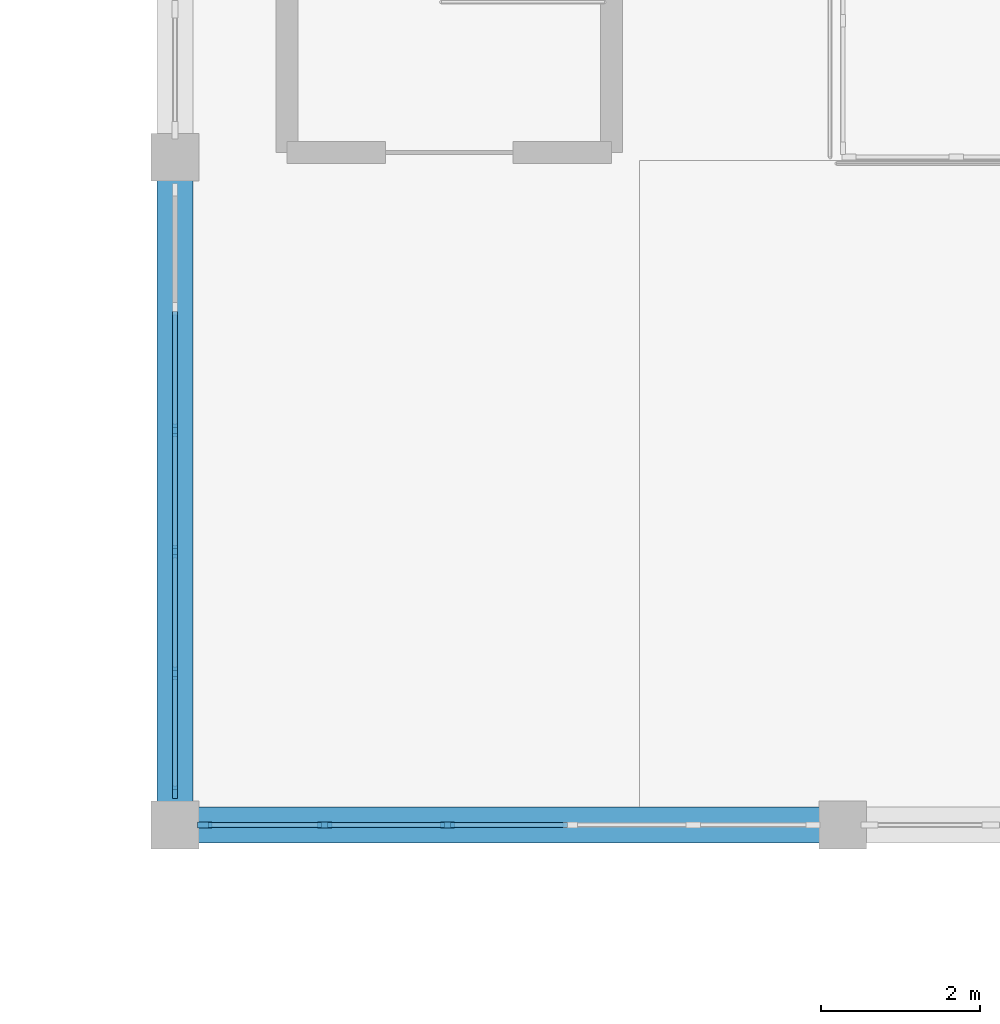
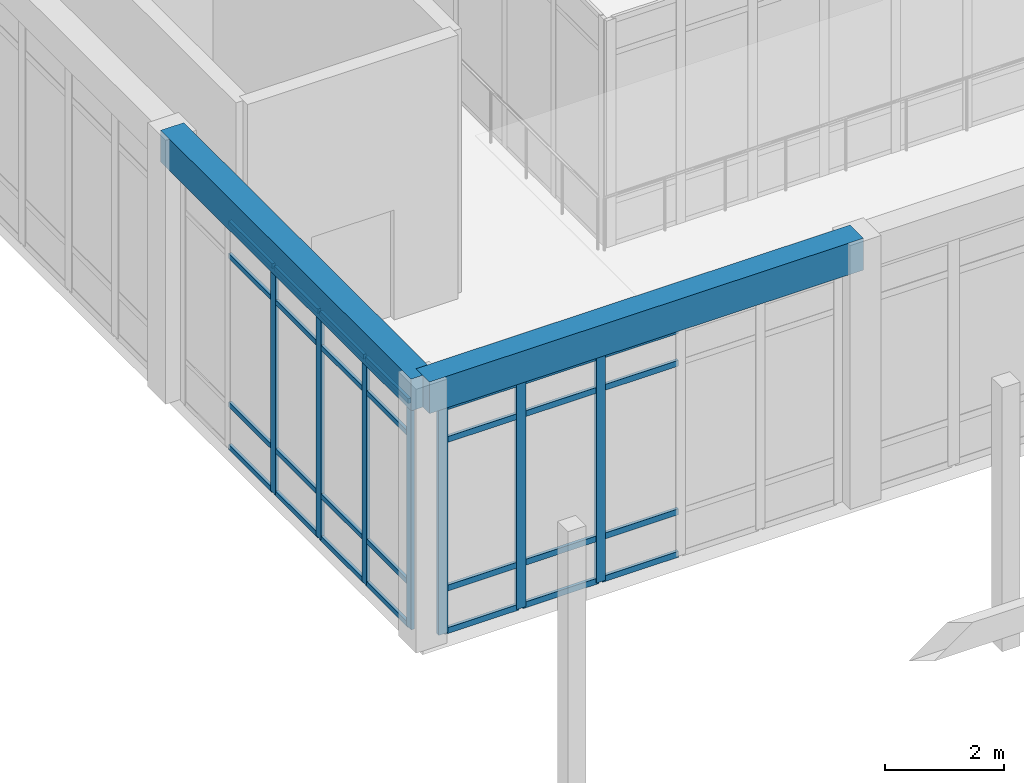
# One storey, part 8 of 157: 35 members, 2 beams, 2 elements without a shape of their own.
"""IFC4 building model written with IfcOpenShell, lengths in metres."""

from ifc_helpers import new_model, si_unit, direction, frame, origin, origin_2d, place, context, subcontext, project, spatial, rectangle, extrude, material, material_profile, profile_set, type_object, element, aggregate, save


model = new_model("IFC4")

# Units and contexts
model_context = context("Model", 3, precision=1e-05, world=origin(), true_north=direction((0.0, 1.0)))
body_context = subcontext(model_context, "Body", "Model", "MODEL_VIEW")
ifc_project = project(units=[si_unit("LENGTHUNIT", "METRE"), si_unit("AREAUNIT", "SQUARE_METRE"), si_unit("VOLUMEUNIT", "CUBIC_METRE"), si_unit("PLANEANGLEUNIT", "RADIAN"), si_unit("MASSUNIT", "GRAM", prefix="KILO")], contexts=[model_context])

# Site, building, storey
site_placement = place(None, origin())
site = spatial("IfcSite", under=ifc_project, at=site_placement, CompositionType="ELEMENT")
building_placement = place(site_placement, origin())
building = spatial("IfcBuilding", under=site, at=building_placement, Name="Varncliffe General Hospital", CompositionType="ELEMENT")
storey_placement = place(building_placement, frame((0.0, 0.0, 5.39990234375)))
storey = spatial("IfcBuildingStorey", under=building, at=storey_placement, Name="L01", CompositionType="ELEMENT", Elevation=5.39990234375)

# Curtain wall, members
ifc_material_1 = material(Name="Triple low-E argon insulated vision glazing", Category="glass")
curtain_wall_type_1 = type_object("IfcCurtainWallType", Name="Unitised Glazed Curtain Wall CW70 (7724x4640)", PredefinedType="USERDEFINED", material=ifc_material_1)
curtain_wall_1_placement = place(storey_placement, origin())
curtain_wall_1 = element("IfcCurtainWall", 1, at=curtain_wall_1_placement, inside=storey, type_object=curtain_wall_type_1, Name="L01 Glazed Curtain Wall CW70-52", ObjectType="GLAZED CURTAIN WALL", PredefinedType="USERDEFINED")
ifc_material_2 = material(Name="Dark bronze thermally broken aluminium framing", Category="aluminium")
ifc_material_profile_1 = material_profile(ifc_material_2, rectangle(XDim=0.074951171875, YDim=0.179931640625, at=origin_2d()), Name="ALU 75x180")
ifc_profile_set_1 = profile_set([ifc_material_profile_1], Name="Dark bronze thermally broken aluminium framing")
member_type_1 = type_object("IfcMemberType", Name="Curtain Wall Mullion CM44 (ALU 75x180)", PredefinedType="MULLION", material=ifc_profile_set_1)
member_1_placement = place(storey_placement, frame((62.2275390625, 7.199951171875, 0.0), z_axis=(0.0, 0.0, 1.0), x_axis=(0.0, -1.0, 0.0)))
member_1 = element("IfcMember", 2, at=member_1_placement, type_object=member_type_1, Name="CW70 mullion 4", PredefinedType="MULLION", context=body_context, shape_type="SweptSolid", body=[
    extrude(rectangle(XDim=0.074951171875, YDim=0.179931640625, at=origin_2d()), origin(), (0.0, 0.0, 1.0), 4.64013671875),
])
member_2_placement = place(storey_placement, frame((60.682861328125, 7.199951171875, 0.0), z_axis=(0.0, 0.0, 1.0), x_axis=(0.0, -1.0, 0.0)))
member_2 = element("IfcMember", 3, at=member_2_placement, type_object=member_type_1, Name="CW70 mullion 5", PredefinedType="MULLION", context=body_context, shape_type="SweptSolid", body=[
    extrude(rectangle(XDim=0.074951171875, YDim=0.179931640625, at=origin_2d()), origin(), (0.0, 0.0, 1.0), 4.64013671875),
])
member_3_placement = place(storey_placement, frame((59.175537109375, 7.199951171875, 0.0), z_axis=(0.0, 0.0, 1.0), x_axis=(0.0, -1.0, 0.0)))
member_3 = element("IfcMember", 4, at=member_3_placement, type_object=member_type_1, Name="CW70 mullion 6", PredefinedType="MULLION", context=body_context, shape_type="SweptSolid", body=[
    extrude(rectangle(XDim=0.074951171875, YDim=0.179931640625, at=origin_2d()), origin(), (0.0, 0.0, 1.0), 4.64013671875),
])

curtain_wall_type_2 = type_object("IfcCurtainWallType", Name="Unitised Glazed Curtain Wall CW27 (7644x4640)", PredefinedType="USERDEFINED", material=ifc_material_1)
curtain_wall_2_placement = place(storey_placement, origin())
curtain_wall_2 = element("IfcCurtainWall", 5, at=curtain_wall_2_placement, inside=storey, type_object=curtain_wall_type_2, Name="L01 Glazed Curtain Wall CW27-53", ObjectType="GLAZED CURTAIN WALL", PredefinedType="USERDEFINED")
ifc_material_profile_2 = material_profile(ifc_material_2, rectangle(XDim=0.06494140625, YDim=0.159912109375, at=origin_2d()), Name="ALU 65x160")
ifc_profile_set_2 = profile_set([ifc_material_profile_2], Name="Dark bronze thermally broken aluminium framing")
member_type_2 = type_object("IfcMemberType", Name="Curtain Wall Mullion CM65 (ALU 65x160)", PredefinedType="MULLION", material=ifc_profile_set_2)
member_4_placement = place(storey_placement, frame((58.800048828125, 7.610595703125, 0.0), z_axis=(0.0, 0.0, 1.0), x_axis=(-1.0, 0.0, 0.0)))
member_4 = element("IfcMember", 6, at=member_4_placement, type_object=member_type_2, Name="CW27 mullion 1", PredefinedType="MULLION", context=body_context, shape_type="SweptSolid", body=[
    extrude(rectangle(XDim=0.06494140625, YDim=0.159912109375, at=origin_2d()), origin(), (0.0, 0.0, 1.0), 4.64013671875),
])
member_5_placement = place(storey_placement, frame((58.800048828125, 9.106689453125, 0.0), z_axis=(0.0, 0.0, 1.0), x_axis=(-1.0, 0.0, 0.0)))
member_5 = element("IfcMember", 7, at=member_5_placement, type_object=member_type_2, Name="CW27 mullion 2", PredefinedType="MULLION", context=body_context, shape_type="SweptSolid", body=[
    extrude(rectangle(XDim=0.06494140625, YDim=0.159912109375, at=origin_2d()), origin(), (0.0, 0.0, 1.0), 4.64013671875),
])
member_6_placement = place(storey_placement, frame((58.800048828125, 10.635498046875, 0.0), z_axis=(0.0, 0.0, 1.0), x_axis=(-1.0, 0.0, 0.0)))
member_6 = element("IfcMember", 8, at=member_6_placement, type_object=member_type_2, Name="CW27 mullion 3", PredefinedType="MULLION", context=body_context, shape_type="SweptSolid", body=[
    extrude(rectangle(XDim=0.06494140625, YDim=0.159912109375, at=origin_2d()), origin(), (0.0, 0.0, 1.0), 4.64013671875),
])
member_7_placement = place(storey_placement, frame((58.800048828125, 12.164306640625, 0.0), z_axis=(0.0, 0.0, 1.0), x_axis=(-1.0, 0.0, 0.0)))
member_7 = element("IfcMember", 9, at=member_7_placement, type_object=member_type_2, Name="CW27 mullion 4", PredefinedType="MULLION", context=body_context, shape_type="SweptSolid", body=[
    extrude(rectangle(XDim=0.06494140625, YDim=0.159912109375, at=origin_2d()), origin(), (0.0, 0.0, 1.0), 4.64013671875),
])

# Member
ifc_material_profile_3 = material_profile(ifc_material_2, rectangle(XDim=0.06005859375, YDim=0.1201171875, at=origin_2d()), Name="ALU 60x120")
ifc_profile_set_3 = profile_set([ifc_material_profile_3], Name="Dark bronze thermally broken aluminium framing")
member_type_3 = type_object("IfcMemberType", Name="Curtain Wall Transom CT14 (ALU 60x120)", PredefinedType="USERDEFINED", material=ifc_profile_set_3)
member_8_placement = place(storey_placement, frame((63.73486328125, 7.199951171875, 0.030029296875), z_axis=(-1.0, 0.0, 0.0), x_axis=(0.0, -1.0, 0.0)))
member_8 = element("IfcMember", 10, at=member_8_placement, type_object=member_type_3, Name="CW70 transom 3.1", ObjectType="TRANSOM", PredefinedType="USERDEFINED", context=body_context, shape_type="SweptSolid", body=[
    extrude(rectangle(XDim=0.06005859375, YDim=0.1201171875, at=origin_2d()), origin(), (0.0, 0.0, 1.0), 1.4697265625),
])

member_9_placement = place(storey_placement, frame((63.73486328125, 7.199951171875, 0.900146484375), z_axis=(-1.0, 0.0, 0.0), x_axis=(0.0, -1.0, 0.0)))
member_9 = element("IfcMember", 11, at=member_9_placement, type_object=member_type_3, Name="CW70 transom 3.2", ObjectType="TRANSOM", PredefinedType="USERDEFINED", context=body_context, shape_type="SweptSolid", body=[
    extrude(rectangle(XDim=0.06005859375, YDim=0.1201171875, at=origin_2d()), origin(), (0.0, 0.0, 1.0), 1.4697265625),
])

member_10_placement = place(storey_placement, frame((63.73486328125, 7.199951171875, 3.940185546875), z_axis=(-1.0, 0.0, 0.0), x_axis=(0.0, -1.0, 0.0)))
member_10 = element("IfcMember", 12, at=member_10_placement, type_object=member_type_3, Name="CW70 transom 3.3", ObjectType="TRANSOM", PredefinedType="USERDEFINED", context=body_context, shape_type="SweptSolid", body=[
    extrude(rectangle(XDim=0.06005859375, YDim=0.1201171875, at=origin_2d()), origin(), (0.0, 0.0, 1.0), 1.4697265625),
])

member_11_placement = place(storey_placement, frame((63.73486328125, 7.199951171875, 4.610107421875), z_axis=(-1.0, 0.0, 0.0), x_axis=(0.0, -1.0, 0.0)))
member_11 = element("IfcMember", 13, at=member_11_placement, type_object=member_type_3, Name="CW70 transom 3.4", ObjectType="TRANSOM", PredefinedType="USERDEFINED", context=body_context, shape_type="SweptSolid", body=[
    extrude(rectangle(XDim=0.06005859375, YDim=0.1201171875, at=origin_2d()), origin(), (0.0, 0.0, 1.0), 1.4697265625),
])

member_12_placement = place(storey_placement, frame((62.190185546875, 7.199951171875, 0.030029296875), z_axis=(-1.0, 0.0, 0.0), x_axis=(0.0, -1.0, 0.0)))
member_12 = element("IfcMember", 14, at=member_12_placement, type_object=member_type_3, Name="CW70 transom 4.1", ObjectType="TRANSOM", PredefinedType="USERDEFINED", context=body_context, shape_type="SweptSolid", body=[
    extrude(rectangle(XDim=0.06005859375, YDim=0.1201171875, at=origin_2d()), origin(), (0.0, 0.0, 1.0), 1.469970703125),
])

member_13_placement = place(storey_placement, frame((62.190185546875, 7.199951171875, 0.900146484375), z_axis=(-1.0, 0.0, 0.0), x_axis=(0.0, -1.0, 0.0)))
member_13 = element("IfcMember", 15, at=member_13_placement, type_object=member_type_3, Name="CW70 transom 4.2", ObjectType="TRANSOM", PredefinedType="USERDEFINED", context=body_context, shape_type="SweptSolid", body=[
    extrude(rectangle(XDim=0.06005859375, YDim=0.1201171875, at=origin_2d()), origin(), (0.0, 0.0, 1.0), 1.469970703125),
])

member_14_placement = place(storey_placement, frame((62.190185546875, 7.199951171875, 3.940185546875), z_axis=(-1.0, 0.0, 0.0), x_axis=(0.0, -1.0, 0.0)))
member_14 = element("IfcMember", 16, at=member_14_placement, type_object=member_type_3, Name="CW70 transom 4.3", ObjectType="TRANSOM", PredefinedType="USERDEFINED", context=body_context, shape_type="SweptSolid", body=[
    extrude(rectangle(XDim=0.06005859375, YDim=0.1201171875, at=origin_2d()), origin(), (0.0, 0.0, 1.0), 1.469970703125),
])

member_15_placement = place(storey_placement, frame((62.190185546875, 7.199951171875, 4.610107421875), z_axis=(-1.0, 0.0, 0.0), x_axis=(0.0, -1.0, 0.0)))
member_15 = element("IfcMember", 17, at=member_15_placement, type_object=member_type_3, Name="CW70 transom 4.4", ObjectType="TRANSOM", PredefinedType="USERDEFINED", context=body_context, shape_type="SweptSolid", body=[
    extrude(rectangle(XDim=0.06005859375, YDim=0.1201171875, at=origin_2d()), origin(), (0.0, 0.0, 1.0), 1.469970703125),
])

member_16_placement = place(storey_placement, frame((60.645263671875, 7.199951171875, 0.030029296875), z_axis=(-1.0, 0.0, 0.0), x_axis=(0.0, -1.0, 0.0)))
member_16 = element("IfcMember", 18, at=member_16_placement, type_object=member_type_3, Name="CW70 transom 5.1", ObjectType="TRANSOM", PredefinedType="USERDEFINED", context=body_context, shape_type="SweptSolid", body=[
    extrude(rectangle(XDim=0.06005859375, YDim=0.1201171875, at=origin_2d()), origin(), (0.0, 0.0, 1.0), 1.432373046875),
])

member_17_placement = place(storey_placement, frame((60.645263671875, 7.199951171875, 0.900146484375), z_axis=(-1.0, 0.0, 0.0), x_axis=(0.0, -1.0, 0.0)))
member_17 = element("IfcMember", 19, at=member_17_placement, type_object=member_type_3, Name="CW70 transom 5.2", ObjectType="TRANSOM", PredefinedType="USERDEFINED", context=body_context, shape_type="SweptSolid", body=[
    extrude(rectangle(XDim=0.06005859375, YDim=0.1201171875, at=origin_2d()), origin(), (0.0, 0.0, 1.0), 1.432373046875),
])

member_18_placement = place(storey_placement, frame((60.645263671875, 7.199951171875, 3.940185546875), z_axis=(-1.0, 0.0, 0.0), x_axis=(0.0, -1.0, 0.0)))
member_18 = element("IfcMember", 20, at=member_18_placement, type_object=member_type_3, Name="CW70 transom 5.3", ObjectType="TRANSOM", PredefinedType="USERDEFINED", context=body_context, shape_type="SweptSolid", body=[
    extrude(rectangle(XDim=0.06005859375, YDim=0.1201171875, at=origin_2d()), origin(), (0.0, 0.0, 1.0), 1.432373046875),
])

member_19_placement = place(storey_placement, frame((60.645263671875, 7.199951171875, 4.610107421875), z_axis=(-1.0, 0.0, 0.0), x_axis=(0.0, -1.0, 0.0)))
member_19 = element("IfcMember", 21, at=member_19_placement, type_object=member_type_3, Name="CW70 transom 5.4", ObjectType="TRANSOM", PredefinedType="USERDEFINED", context=body_context, shape_type="SweptSolid", body=[
    extrude(rectangle(XDim=0.06005859375, YDim=0.1201171875, at=origin_2d()), origin(), (0.0, 0.0, 1.0), 1.432373046875),
])

aggregate(curtain_wall_1, [member_1, member_2, member_3, member_8, member_9, member_10, member_11, member_12, member_13, member_14, member_15, member_16, member_17, member_18, member_19])

ifc_material_profile_4 = material_profile(ifc_material_2, rectangle(XDim=0.06005859375, YDim=0.10009765625, at=origin_2d()), Name="ALU 60x100")
ifc_profile_set_4 = profile_set([ifc_material_profile_4], Name="Dark bronze thermally broken aluminium framing")
member_type_4 = type_object("IfcMemberType", Name="Curtain Wall Transom CT18 (ALU 60x100)", PredefinedType="USERDEFINED", material=ifc_profile_set_4)
member_20_placement = place(storey_placement, frame((58.800048828125, 7.64306640625, 0.030029296875), z_axis=(0.0, 1.0, 0.0), x_axis=(-1.0, 0.0, 0.0)))
member_20 = element("IfcMember", 22, at=member_20_placement, type_object=member_type_4, Name="CW27 transom 1.1", ObjectType="TRANSOM", PredefinedType="USERDEFINED", context=body_context, shape_type="SweptSolid", body=[
    extrude(rectangle(XDim=0.06005859375, YDim=0.10009765625, at=origin_2d()), origin(), (0.0, 0.0, 1.0), 1.43115234375),
])

member_21_placement = place(storey_placement, frame((58.800048828125, 7.64306640625, 0.900146484375), z_axis=(0.0, 1.0, 0.0), x_axis=(-1.0, 0.0, 0.0)))
member_21 = element("IfcMember", 23, at=member_21_placement, type_object=member_type_4, Name="CW27 transom 1.2", ObjectType="TRANSOM", PredefinedType="USERDEFINED", context=body_context, shape_type="SweptSolid", body=[
    extrude(rectangle(XDim=0.06005859375, YDim=0.10009765625, at=origin_2d()), origin(), (0.0, 0.0, 1.0), 1.43115234375),
])

member_22_placement = place(storey_placement, frame((58.800048828125, 7.64306640625, 3.940185546875), z_axis=(0.0, 1.0, 0.0), x_axis=(-1.0, 0.0, 0.0)))
member_22 = element("IfcMember", 24, at=member_22_placement, type_object=member_type_4, Name="CW27 transom 1.3", ObjectType="TRANSOM", PredefinedType="USERDEFINED", context=body_context, shape_type="SweptSolid", body=[
    extrude(rectangle(XDim=0.06005859375, YDim=0.10009765625, at=origin_2d()), origin(), (0.0, 0.0, 1.0), 1.43115234375),
])

member_23_placement = place(storey_placement, frame((58.800048828125, 7.64306640625, 4.610107421875), z_axis=(0.0, 1.0, 0.0), x_axis=(-1.0, 0.0, 0.0)))
member_23 = element("IfcMember", 25, at=member_23_placement, type_object=member_type_4, Name="CW27 transom 1.4", ObjectType="TRANSOM", PredefinedType="USERDEFINED", context=body_context, shape_type="SweptSolid", body=[
    extrude(rectangle(XDim=0.06005859375, YDim=0.10009765625, at=origin_2d()), origin(), (0.0, 0.0, 1.0), 1.43115234375),
])

member_24_placement = place(storey_placement, frame((58.800048828125, 9.139404296875, 0.030029296875), z_axis=(0.0, 1.0, 0.0), x_axis=(-1.0, 0.0, 0.0)))
member_24 = element("IfcMember", 26, at=member_24_placement, type_object=member_type_4, Name="CW27 transom 2.1", ObjectType="TRANSOM", PredefinedType="USERDEFINED", context=body_context, shape_type="SweptSolid", body=[
    extrude(rectangle(XDim=0.06005859375, YDim=0.10009765625, at=origin_2d()), origin(), (0.0, 0.0, 1.0), 1.463623046875),
])

member_25_placement = place(storey_placement, frame((58.800048828125, 9.139404296875, 0.900146484375), z_axis=(0.0, 1.0, 0.0), x_axis=(-1.0, 0.0, 0.0)))
member_25 = element("IfcMember", 27, at=member_25_placement, type_object=member_type_4, Name="CW27 transom 2.2", ObjectType="TRANSOM", PredefinedType="USERDEFINED", context=body_context, shape_type="SweptSolid", body=[
    extrude(rectangle(XDim=0.06005859375, YDim=0.10009765625, at=origin_2d()), origin(), (0.0, 0.0, 1.0), 1.463623046875),
])

member_26_placement = place(storey_placement, frame((58.800048828125, 9.139404296875, 3.940185546875), z_axis=(0.0, 1.0, 0.0), x_axis=(-1.0, 0.0, 0.0)))
member_26 = element("IfcMember", 28, at=member_26_placement, type_object=member_type_4, Name="CW27 transom 2.3", ObjectType="TRANSOM", PredefinedType="USERDEFINED", context=body_context, shape_type="SweptSolid", body=[
    extrude(rectangle(XDim=0.06005859375, YDim=0.10009765625, at=origin_2d()), origin(), (0.0, 0.0, 1.0), 1.463623046875),
])

member_27_placement = place(storey_placement, frame((58.800048828125, 9.139404296875, 4.610107421875), z_axis=(0.0, 1.0, 0.0), x_axis=(-1.0, 0.0, 0.0)))
member_27 = element("IfcMember", 29, at=member_27_placement, type_object=member_type_4, Name="CW27 transom 2.4", ObjectType="TRANSOM", PredefinedType="USERDEFINED", context=body_context, shape_type="SweptSolid", body=[
    extrude(rectangle(XDim=0.06005859375, YDim=0.10009765625, at=origin_2d()), origin(), (0.0, 0.0, 1.0), 1.463623046875),
])

member_28_placement = place(storey_placement, frame((58.800048828125, 10.668212890625, 0.030029296875), z_axis=(0.0, 1.0, 0.0), x_axis=(-1.0, 0.0, 0.0)))
member_28 = element("IfcMember", 30, at=member_28_placement, type_object=member_type_4, Name="CW27 transom 3.1", ObjectType="TRANSOM", PredefinedType="USERDEFINED", context=body_context, shape_type="SweptSolid", body=[
    extrude(rectangle(XDim=0.06005859375, YDim=0.10009765625, at=origin_2d()), origin(), (0.0, 0.0, 1.0), 1.463623046875),
])

member_29_placement = place(storey_placement, frame((58.800048828125, 10.668212890625, 0.900146484375), z_axis=(0.0, 1.0, 0.0), x_axis=(-1.0, 0.0, 0.0)))
member_29 = element("IfcMember", 31, at=member_29_placement, type_object=member_type_4, Name="CW27 transom 3.2", ObjectType="TRANSOM", PredefinedType="USERDEFINED", context=body_context, shape_type="SweptSolid", body=[
    extrude(rectangle(XDim=0.06005859375, YDim=0.10009765625, at=origin_2d()), origin(), (0.0, 0.0, 1.0), 1.463623046875),
])

member_30_placement = place(storey_placement, frame((58.800048828125, 10.668212890625, 3.940185546875), z_axis=(0.0, 1.0, 0.0), x_axis=(-1.0, 0.0, 0.0)))
member_30 = element("IfcMember", 32, at=member_30_placement, type_object=member_type_4, Name="CW27 transom 3.3", ObjectType="TRANSOM", PredefinedType="USERDEFINED", context=body_context, shape_type="SweptSolid", body=[
    extrude(rectangle(XDim=0.06005859375, YDim=0.10009765625, at=origin_2d()), origin(), (0.0, 0.0, 1.0), 1.463623046875),
])

member_31_placement = place(storey_placement, frame((58.800048828125, 10.668212890625, 4.610107421875), z_axis=(0.0, 1.0, 0.0), x_axis=(-1.0, 0.0, 0.0)))
member_31 = element("IfcMember", 33, at=member_31_placement, type_object=member_type_4, Name="CW27 transom 3.4", ObjectType="TRANSOM", PredefinedType="USERDEFINED", context=body_context, shape_type="SweptSolid", body=[
    extrude(rectangle(XDim=0.06005859375, YDim=0.10009765625, at=origin_2d()), origin(), (0.0, 0.0, 1.0), 1.463623046875),
])

member_32_placement = place(storey_placement, frame((58.800048828125, 12.197021484375, 0.030029296875), z_axis=(0.0, 1.0, 0.0), x_axis=(-1.0, 0.0, 0.0)))
member_32 = element("IfcMember", 34, at=member_32_placement, type_object=member_type_4, Name="CW27 transom 4.1", ObjectType="TRANSOM", PredefinedType="USERDEFINED", context=body_context, shape_type="SweptSolid", body=[
    extrude(rectangle(XDim=0.06005859375, YDim=0.10009765625, at=origin_2d()), origin(), (0.0, 0.0, 1.0), 1.463623046875),
])

member_33_placement = place(storey_placement, frame((58.800048828125, 12.197021484375, 0.900146484375), z_axis=(0.0, 1.0, 0.0), x_axis=(-1.0, 0.0, 0.0)))
member_33 = element("IfcMember", 35, at=member_33_placement, type_object=member_type_4, Name="CW27 transom 4.2", ObjectType="TRANSOM", PredefinedType="USERDEFINED", context=body_context, shape_type="SweptSolid", body=[
    extrude(rectangle(XDim=0.06005859375, YDim=0.10009765625, at=origin_2d()), origin(), (0.0, 0.0, 1.0), 1.463623046875),
])

member_34_placement = place(storey_placement, frame((58.800048828125, 12.197021484375, 3.940185546875), z_axis=(0.0, 1.0, 0.0), x_axis=(-1.0, 0.0, 0.0)))
member_34 = element("IfcMember", 36, at=member_34_placement, type_object=member_type_4, Name="CW27 transom 4.3", ObjectType="TRANSOM", PredefinedType="USERDEFINED", context=body_context, shape_type="SweptSolid", body=[
    extrude(rectangle(XDim=0.06005859375, YDim=0.10009765625, at=origin_2d()), origin(), (0.0, 0.0, 1.0), 1.463623046875),
])

member_35_placement = place(storey_placement, frame((58.800048828125, 12.197021484375, 4.610107421875), z_axis=(0.0, 1.0, 0.0), x_axis=(-1.0, 0.0, 0.0)))
member_35 = element("IfcMember", 37, at=member_35_placement, type_object=member_type_4, Name="CW27 transom 4.4", ObjectType="TRANSOM", PredefinedType="USERDEFINED", context=body_context, shape_type="SweptSolid", body=[
    extrude(rectangle(XDim=0.06005859375, YDim=0.10009765625, at=origin_2d()), origin(), (0.0, 0.0, 1.0), 1.463623046875),
])

aggregate(curtain_wall_2, [member_4, member_5, member_6, member_7, member_20, member_21, member_22, member_23, member_24, member_25, member_26, member_27, member_28, member_29, member_30, member_31, member_32, member_33, member_34, member_35])

# Beams
ifc_material_3 = material(Name="Concrete C35/45 (CSA A23.1 35 MPa)", Category="concrete")
ifc_material_profile_5 = material_profile(ifc_material_3, rectangle(XDim=0.449951171875, YDim=0.64990234375, at=origin_2d()), Name="RC 450x650")
ifc_profile_set_5 = profile_set([ifc_material_profile_5], Name="Concrete C35/45 (CSA A23.1 35 MPa)")
beam_type = type_object("IfcBeamType", Name="Spandrel SP38 (Ext RC 450x650B)", PredefinedType="SPANDREL", material=ifc_profile_set_5)
beam_1_placement = place(storey_placement, frame((58.800048828125, 7.199951171875, 5.0751953125), z_axis=(1.0, 0.0, 0.0), x_axis=(0.0, 1.0, 0.0)))
element("IfcBeam", 38, at=beam_1_placement, inside=storey, type_object=beam_type, Name="L01 Spandrel Beam SP38-10", PredefinedType="SPANDREL", context=body_context, shape_type="SweptSolid", body=[
    extrude(rectangle(XDim=0.449951171875, YDim=0.64990234375, at=origin_2d()), origin(), (0.0, 0.0, 1.0), 8.39990234375),
])
beam_2_placement = place(storey_placement, frame((58.800048828125, 7.199951171875, 5.0751953125), z_axis=(0.0, 1.0, 0.0), x_axis=(-1.0, 0.0, 0.0)))
element("IfcBeam", 39, at=beam_2_placement, inside=storey, type_object=beam_type, Name="L01 Spandrel Beam SP38-353", PredefinedType="SPANDREL", context=body_context, shape_type="SweptSolid", body=[
    extrude(rectangle(XDim=0.449951171875, YDim=0.64990234375, at=origin_2d()), origin(), (0.0, 0.0, 1.0), 8.400146484375),
])

save(model, "model.ifc")
